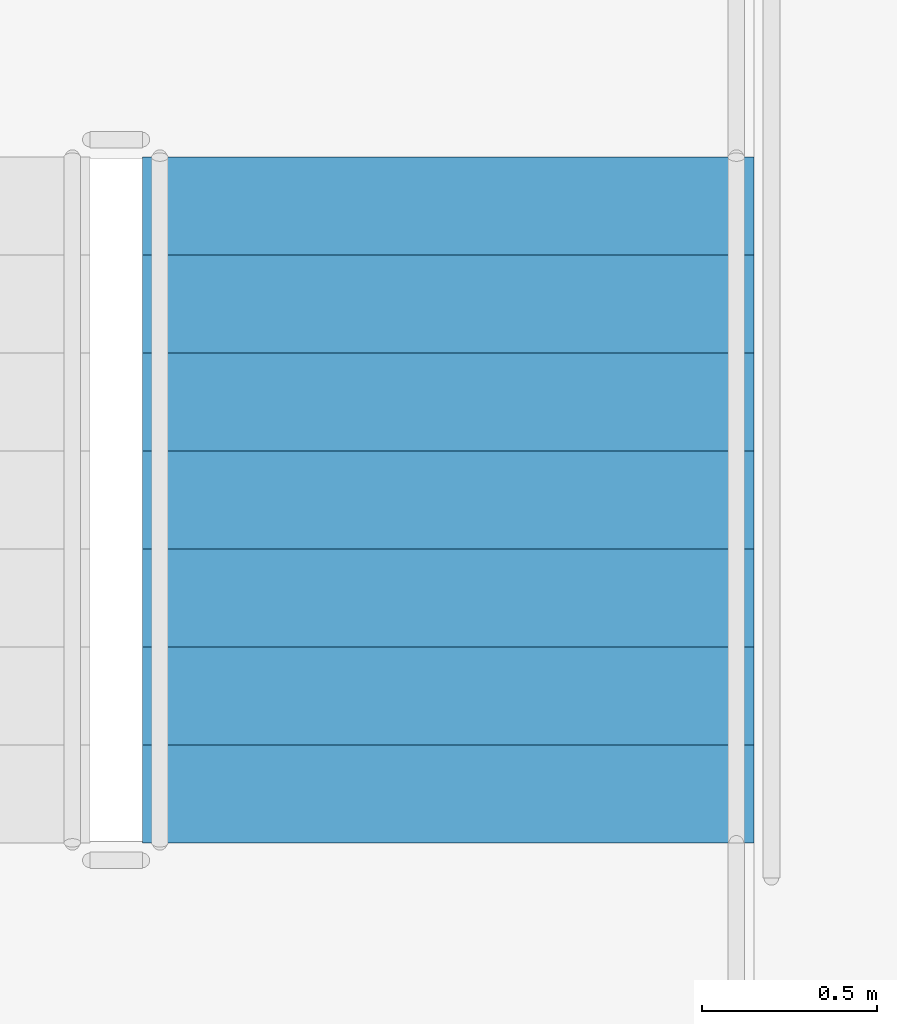
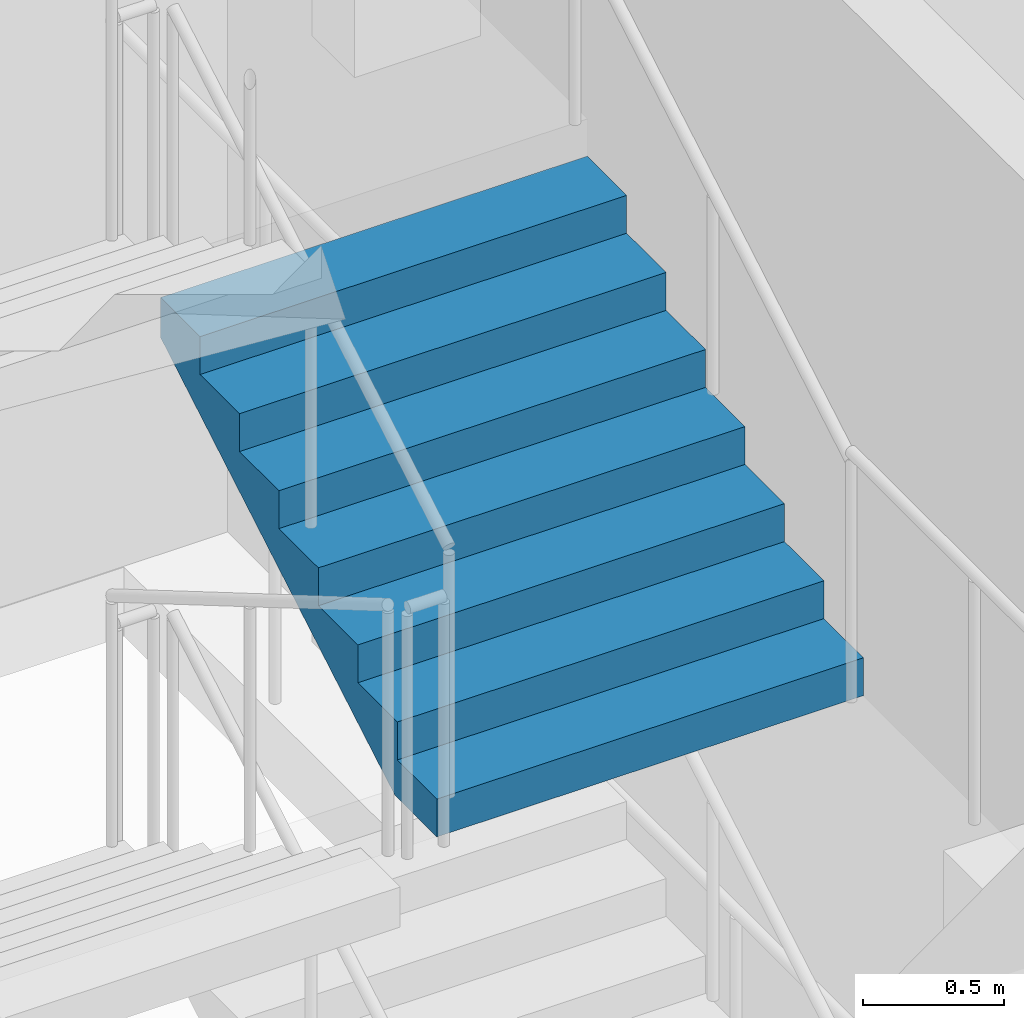
# One storey, part 82 of 125: 1 stair flight, 1 element without a shape of its own.
"""IFC4 building model written with IfcOpenShell, lengths in metres."""

from ifc_helpers import new_model, si_unit, direction, frame, origin, place, context, subcontext, project, spatial, polyline, outline, extrude, material, type_object, element, aggregate, save


model = new_model("IFC4")

# Units and contexts
model_context = context("Model", 3, precision=1e-05, world=origin(), true_north=direction((0.0, 1.0)))
body_context = subcontext(model_context, "Body", "Model", "MODEL_VIEW")
ifc_project = project(units=[si_unit("LENGTHUNIT", "METRE"), si_unit("AREAUNIT", "SQUARE_METRE"), si_unit("VOLUMEUNIT", "CUBIC_METRE"), si_unit("PLANEANGLEUNIT", "RADIAN"), si_unit("MASSUNIT", "GRAM", prefix="KILO")], contexts=[model_context])

# Site, building, storey
site_placement = place(None, origin())
site = spatial("IfcSite", under=ifc_project, at=site_placement, CompositionType="ELEMENT")
building_placement = place(site_placement, origin())
building = spatial("IfcBuilding", under=site, at=building_placement, Name="Sun Court Science Centre", CompositionType="ELEMENT")
storey_placement = place(building_placement, frame((0.0, 0.0, 6.0)))
storey = spatial("IfcBuildingStorey", under=building, at=storey_placement, Name="L01", CompositionType="ELEMENT", Elevation=6.0)

# Stair, stair flight
ifc_material_1 = material(Name="Concrete C25/30", Category="concrete")
stair_type = type_object("IfcStairType", Name="Stair 1500 enclosed half-turn", PredefinedType="HALF_TURN_STAIR", material=ifc_material_1)
stair_placement = place(storey_placement, origin())
stair = element("IfcStair", 1, at=stair_placement, inside=storey, type_object=stair_type, Name="L01 Stair SL4", PredefinedType="HALF_TURN_STAIR")
ifc_material_2 = material(Name="Concrete C25/30", Category="concrete")
stair_flight_type = type_object("IfcStairFlightType", Name="Stair flight 1500 with waist", PredefinedType="STRAIGHT", material=ifc_material_2)
stair_flight_placement = place(storey_placement, frame((85.448974609375, 75.498046875, 2.625), z_axis=(0.0, 0.0, 1.0), x_axis=(0.0, 1.0, 0.0)))
stair_flight = element("IfcStairFlight", 2, at=stair_flight_placement, type_object=stair_flight_type, Name="SL4 flight 3", NumberOfRisers=8, NumberOfTreads=7, PredefinedType="STRAIGHT", RiserHeight=0.1640625, TreadLength=0.28, context=body_context, shape_type="SweptSolid", body=[
    extrude(outline(polyline([(0.0, 0.0), (0.0, 0.00244140625), (0.0, 0.0048828125), (0.0, 0.00732421875), (0.0, 0.009765625), (0.0, 0.01220703125), (0.0, 0.0146484375), (0.0, 0.01708984375), (0.0, 0.01953125), (0.0, 0.02197265625), (0.0, 0.0244140625), (0.0, 0.02685546875), (0.0, 0.029296875), (0.0, 0.03173828125), (0.0, 0.0341796875), (0.0, 0.03662109375), (0.0, 0.0390625), (0.0, 0.04150390625), (0.0, 0.0439453125), (0.0, 0.04638671875), (0.0, 0.048828125), (0.0, 0.05126953125), (0.0, 0.0537109375), (0.0, 0.05615234375), (0.0, 0.05859375), (0.0, 0.06103515625), (0.0, 0.0634765625), (0.0, 0.06591796875), (0.0, 0.068359375), (0.0, 0.07080078125), (0.0, 0.0732421875), (0.0, 0.07568359375), (0.0, 0.078125), (0.0, 0.08056640625), (0.0, 0.0830078125), (0.0, 0.08544921875), (0.0, 0.087890625), (0.0, 0.09033203125), (0.0, 0.0927734375), (0.0, 0.09521484375), (0.0, 0.09765625), (0.0, 0.10009765625), (0.0, 0.1025390625), (0.0, 0.10498046875), (0.0, 0.107421875), (0.0, 0.10986328125), (0.0, 0.1123046875), (0.0, 0.11474609375), (0.0, 0.1171875), (0.0, 0.11962890625), (0.0, 0.1220703125), (0.0, 0.12451171875), (0.0, 0.126953125), (0.0, 0.12939453125), (0.0, 0.1318359375), (0.0, 0.13427734375), (0.0, 0.13671875), (0.0, 0.13916015625), (0.0, 0.1416015625), (0.0, 0.14404296875), (0.0, 0.146484375), (0.0, 0.14892578125), (0.0, 0.1513671875), (0.0, 0.15380859375), (0.0, 0.15625), (0.0, 0.15869140625), (0.0, 0.1611328125), (0.0, 0.1640625), (0.280029296875, 0.1640625), (0.280029296875, 0.328125), (0.56005859375, 0.328125), (0.56005859375, 0.4921875), (0.840087890625, 0.4921875), (0.840087890625, 0.65625), (1.1201171875, 0.65625), (1.1201171875, 0.8203125), (1.39990234375, 0.8203125), (1.39990234375, 0.984375), (1.679931640625, 0.984375), (1.679931640625, 1.1484375), (1.9599609375, 1.1484375), (1.9599609375, 1.15087890625), (1.9599609375, 1.1533203125), (1.9599609375, 1.15576171875), (1.9599609375, 1.158203125), (1.9599609375, 1.16064453125), (1.9599609375, 1.1630859375), (1.9599609375, 1.16552734375), (1.9599609375, 1.16796875), (1.9599609375, 1.17041015625), (1.9599609375, 1.1728515625), (1.9599609375, 1.17529296875), (1.9599609375, 1.177734375), (1.9599609375, 1.18017578125), (1.9599609375, 1.1826171875), (1.9599609375, 1.18505859375), (1.9599609375, 1.1875), (1.9599609375, 1.18994140625), (1.9599609375, 1.1923828125), (1.9599609375, 1.19482421875), (1.9599609375, 1.197265625), (1.9599609375, 1.19970703125), (1.9599609375, 1.2021484375), (1.9599609375, 1.20458984375), (1.9599609375, 1.20703125), (1.9599609375, 1.20947265625), (1.9599609375, 1.2119140625), (1.9599609375, 1.21435546875), (1.9599609375, 1.216796875), (1.9599609375, 1.21923828125), (1.9599609375, 1.2216796875), (1.9599609375, 1.22412109375), (1.9599609375, 1.2265625), (1.9599609375, 1.22900390625), (1.9599609375, 1.2314453125), (1.9599609375, 1.23388671875), (1.9599609375, 1.236328125), (1.9599609375, 1.23876953125), (1.9599609375, 1.2412109375), (1.9599609375, 1.24365234375), (1.9599609375, 1.24609375), (1.9599609375, 1.24853515625), (1.9599609375, 1.2509765625), (1.9599609375, 1.25341796875), (1.9599609375, 1.255859375), (1.9599609375, 1.25830078125), (1.9599609375, 1.2607421875), (1.9599609375, 1.26318359375), (1.9599609375, 1.265625), (1.9599609375, 1.26806640625), (1.9599609375, 1.2705078125), (1.9599609375, 1.27294921875), (1.9599609375, 1.275390625), (1.9599609375, 1.27783203125), (1.9599609375, 1.2802734375), (1.9599609375, 1.28271484375), (1.9599609375, 1.28515625), (1.9599609375, 1.28759765625), (1.9599609375, 1.2900390625), (1.9599609375, 1.29248046875), (1.9599609375, 1.294921875), (1.9599609375, 1.29736328125), (1.9599609375, 1.2998046875), (1.9599609375, 1.30224609375), (1.9599609375, 1.3046875), (1.9599609375, 1.30712890625), (1.9599609375, 1.3095703125), (1.9599609375, 1.3125), (1.9599609375, 1.31005859375), (1.9599609375, 1.3076171875), (1.9599609375, 1.30517578125), (1.9599609375, 1.302734375), (1.9599609375, 1.30029296875), (1.9599609375, 1.2978515625), (1.9599609375, 1.29541015625), (1.9599609375, 1.29296875), (1.9599609375, 1.29052734375), (1.9599609375, 1.2880859375), (1.9599609375, 1.28564453125), (1.9599609375, 1.283203125), (1.9599609375, 1.28076171875), (1.9599609375, 1.2783203125), (1.9599609375, 1.27587890625), (1.9599609375, 1.2734375), (1.9599609375, 1.27099609375), (1.9599609375, 1.2685546875), (1.9599609375, 1.26611328125), (1.9599609375, 1.263671875), (1.9599609375, 1.26123046875), (1.9599609375, 1.2587890625), (1.9599609375, 1.25634765625), (1.9599609375, 1.25390625), (1.9599609375, 1.25146484375), (1.9599609375, 1.2490234375), (1.9599609375, 1.24658203125), (1.9599609375, 1.244140625), (1.9599609375, 1.24169921875), (1.9599609375, 1.2392578125), (1.9599609375, 1.23681640625), (1.9599609375, 1.234375), (1.9599609375, 1.23193359375), (1.9599609375, 1.2294921875), (1.9599609375, 1.22705078125), (1.9599609375, 1.224609375), (1.9599609375, 1.22216796875), (1.9599609375, 1.2197265625), (1.9599609375, 1.21728515625), (1.9599609375, 1.21484375), (1.9599609375, 1.21240234375), (1.9599609375, 1.2099609375), (1.9599609375, 1.20751953125), (1.9599609375, 1.205078125), (1.9599609375, 1.20263671875), (1.9599609375, 1.2001953125), (1.9599609375, 1.19775390625), (1.9599609375, 1.1953125), (1.9599609375, 1.19287109375), (1.9599609375, 1.1904296875), (1.9599609375, 1.18798828125), (1.9599609375, 1.185546875), (1.9599609375, 1.18310546875), (1.9599609375, 1.1806640625), (1.9599609375, 1.17822265625), (1.9599609375, 1.17578125), (1.9599609375, 1.17333984375), (1.9599609375, 1.1708984375), (1.9599609375, 1.16845703125), (1.9599609375, 1.166015625), (1.9599609375, 1.16357421875), (1.9599609375, 1.1611328125), (1.9599609375, 1.15869140625), (1.9599609375, 1.15625), (1.9599609375, 1.15380859375), (1.9599609375, 1.1513671875), (1.9599609375, 1.14892578125), (1.9599609375, 1.146484375), (1.9599609375, 1.14404296875), (1.9599609375, 1.1416015625), (1.9599609375, 1.13916015625), (1.9599609375, 1.13671875), (1.9599609375, 1.13427734375), (1.9599609375, 1.1318359375), (1.9599609375, 1.12939453125), (1.9599609375, 1.126953125), (1.9599609375, 1.12451171875), (1.9599609375, 1.1220703125), (1.9599609375, 1.11962890625), (1.9599609375, 1.1171875), (1.9599609375, 1.11474609375), (1.9599609375, 1.1123046875), (1.9599609375, 1.10986328125), (1.9599609375, 1.107421875), (1.9599609375, 1.10498046875), (1.9599609375, 1.1025390625), (1.9599609375, 1.10009765625), (1.9599609375, 1.09765625), (1.9599609375, 1.09521484375), (1.9599609375, 1.0927734375), (1.9599609375, 1.09033203125), (1.9599609375, 1.087890625), (1.9599609375, 1.08544921875), (1.9599609375, 1.0830078125), (1.9599609375, 1.08056640625), (1.9599609375, 1.078125), (1.9599609375, 1.07568359375), (1.9599609375, 1.0732421875), (1.9599609375, 1.07080078125), (1.9599609375, 1.068359375), (1.9599609375, 1.06591796875), (1.9599609375, 1.0634765625), (1.9599609375, 1.06103515625), (1.9599609375, 1.05859375), (1.9599609375, 1.05615234375), (1.9599609375, 1.0537109375), (1.9599609375, 1.05126953125), (1.9599609375, 1.048828125), (1.9599609375, 1.04638671875), (1.9599609375, 1.0439453125), (1.9599609375, 1.04150390625), (1.9599609375, 1.0390625), (1.9599609375, 1.03662109375), (1.9599609375, 1.0341796875), (1.9599609375, 1.03173828125), (1.9599609375, 1.029296875), (1.9599609375, 1.02685546875), (1.9599609375, 1.0244140625), (1.9599609375, 1.02197265625), (1.9599609375, 1.01953125), (1.9599609375, 1.01708984375), (1.9599609375, 1.0146484375), (1.9599609375, 1.01220703125), (1.9599609375, 1.009765625), (1.9599609375, 1.00732421875), (1.9599609375, 1.0048828125), (1.9599609375, 1.00244140625), (1.9599609375, 1.0), (1.9599609375, 0.99755859375), (1.9599609375, 0.9951171875), (1.9599609375, 0.99267578125), (1.9599609375, 0.990234375), (1.9599609375, 0.98779296875), (1.9599609375, 0.9853515625), (1.9599609375, 0.98291015625), (1.9599609375, 0.98046875), (1.9599609375, 0.97802734375), (1.9599609375, 0.974609375), (0.296630859375, 0.0), (0.0, 0.0)])), frame((0.0, 0.8740234375, 0.0), z_axis=(0.0, -1.0, 0.0), x_axis=(1.0, 0.0, 0.0)), (0.0, 0.0, 1.0), 1.748046875),
])
aggregate(stair, [stair_flight])

save(model, "model.ifc")
